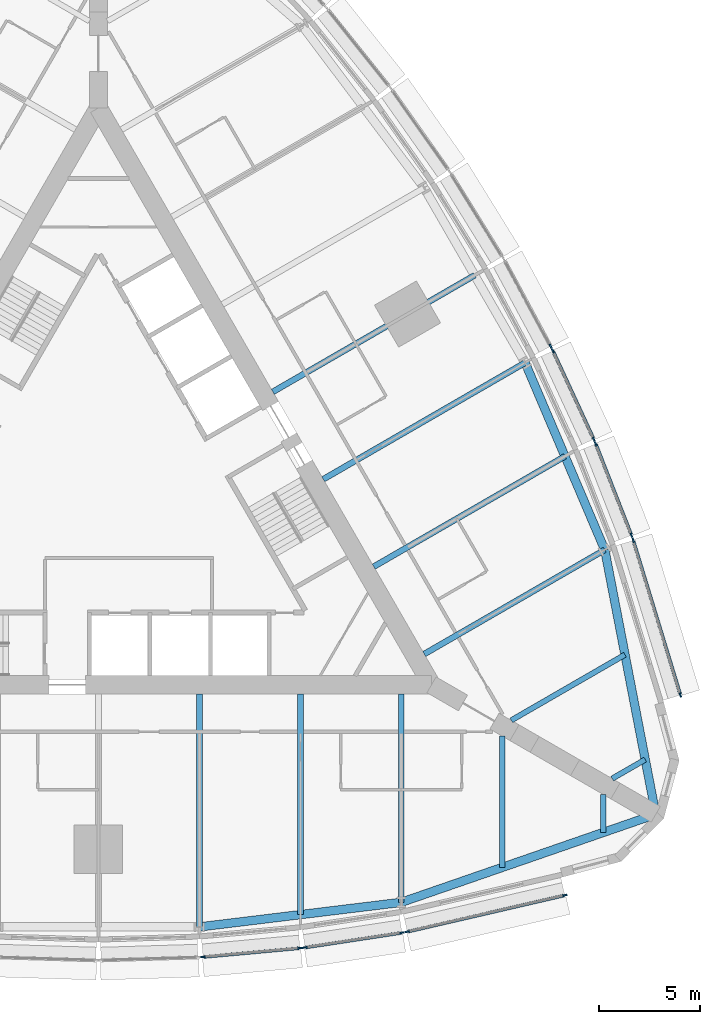
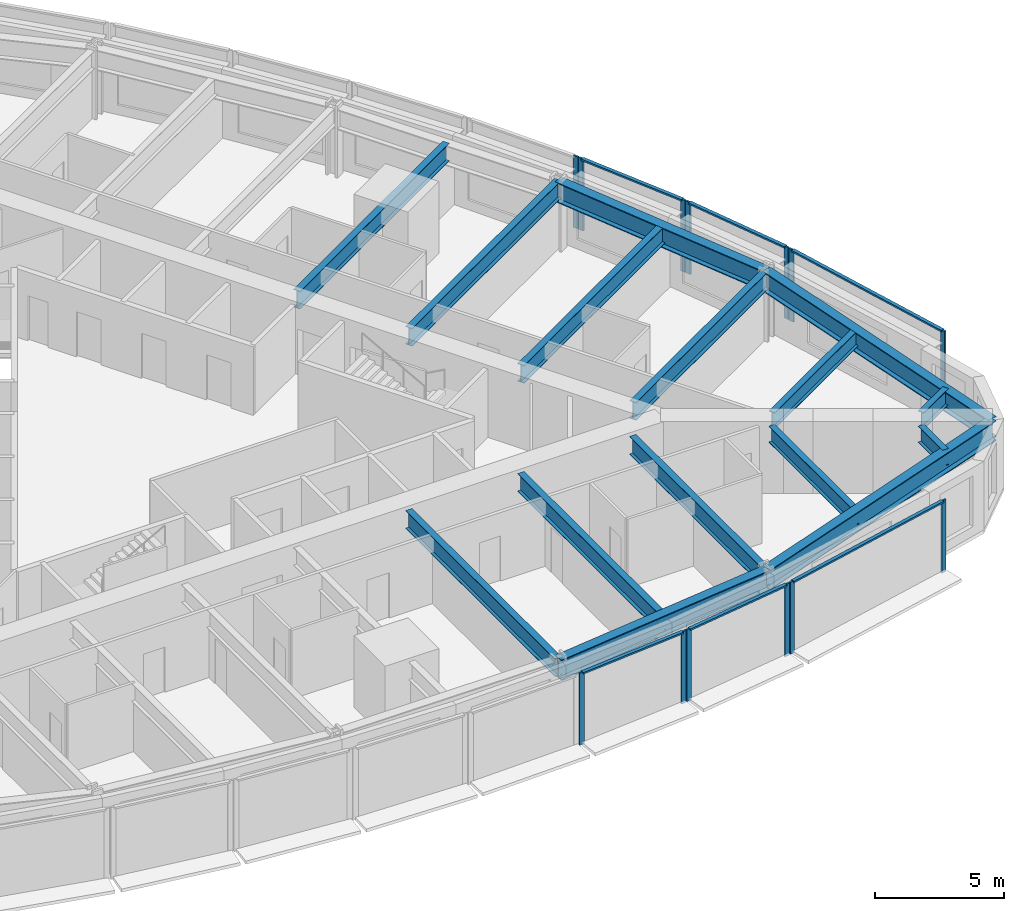
# One storey, part 3 of 14: 19 members, 15 beams, 7 elements without a shape of their own.
"""IFC4 building model written with IfcOpenShell, lengths in metres."""

from ifc_helpers import new_model, si_unit, direction, frame, origin, origin_2d, place, context, subcontext, project, spatial, rectangle, i_section, extrude, material, material_profile, profile_set, type_object, element, aggregate, save


model = new_model("IFC4")

# Units and contexts
model_context = context("Model", 3, precision=1e-05, world=origin(), true_north=direction((0.0, 1.0)))
body_context = subcontext(model_context, "Body", "Model", "MODEL_VIEW")
ifc_project = project(units=[si_unit("LENGTHUNIT", "METRE"), si_unit("AREAUNIT", "SQUARE_METRE"), si_unit("VOLUMEUNIT", "CUBIC_METRE"), si_unit("PLANEANGLEUNIT", "RADIAN"), si_unit("MASSUNIT", "GRAM", prefix="KILO")], contexts=[model_context])

# Site, building, storey
site_placement = place(None, origin())
site = spatial("IfcSite", under=ifc_project, at=site_placement, CompositionType="ELEMENT")
building_placement = place(site_placement, origin())
building = spatial("IfcBuilding", under=site, at=building_placement, Name="Trikona Tower", CompositionType="ELEMENT")
storey_placement = place(building_placement, frame((0.0, 0.0, 96.5)))
storey = spatial("IfcBuildingStorey", under=building, at=storey_placement, Name="L25", CompositionType="ELEMENT", Elevation=96.5)

# Curtain wall, members
ifc_material_1 = material(Name="Aluminium curtain wall system", Category="aluminium")
curtain_wall_type = type_object("IfcCurtainWallType", Name="Curtain wall DS1", PredefinedType="NOTDEFINED", material=ifc_material_1)
curtain_wall_1_placement = place(storey_placement, origin())
curtain_wall_1 = element("IfcCurtainWall", 1, at=curtain_wall_1_placement, inside=storey, type_object=curtain_wall_type, Name="Curtain wall DS1 L25", PredefinedType="NOTDEFINED")
ifc_material_2 = material(Name="Aluminium mullion, pale anodised", Category="aluminium")
ifc_material_profile_1 = material_profile(ifc_material_2, rectangle(XDim=0.080078125, YDim=0.219970703125, at=origin_2d()), Name="MUL-DS1")
ifc_profile_set_1 = profile_set([ifc_material_profile_1], Name="Aluminium mullion, pale anodised")
member_type_1 = type_object("IfcMemberType", Name="Mullion DS1 80x220", PredefinedType="MULLION", material=ifc_profile_set_1)
member_1_placement = place(storey_placement, frame((5.181396484375, -23.007568359375, 0.0), z_axis=(0.0, 0.0, 1.0), x_axis=(-0.090923932737, 0.995857840485, 0.0)))
member_1 = element("IfcMember", 2, at=member_1_placement, type_object=member_type_1, Name="CW-DS1 mullion 1", PredefinedType="MULLION", context=body_context, shape_type="SweptSolid", body=[
    extrude(rectangle(XDim=0.080078125, YDim=0.219970703125, at=origin_2d()), origin(), (0.0, 0.0, 1.0), 3.39990234375),
])
member_2_placement = place(storey_placement, frame((9.982177734375, -22.5693359375, 0.0), z_axis=(0.0, 0.0, 1.0), x_axis=(-0.090923932737, 0.995857840485, 0.0)))
member_2 = element("IfcMember", 3, at=member_2_placement, type_object=member_type_1, Name="CW-DS1 mullion 2", PredefinedType="MULLION", context=body_context, shape_type="SweptSolid", body=[
    extrude(rectangle(XDim=0.080078125, YDim=0.219970703125, at=origin_2d()), origin(), (0.0, 0.0, 1.0), 3.39990234375),
])

curtain_wall_2_placement = place(storey_placement, origin())
curtain_wall_2 = element("IfcCurtainWall", 4, at=curtain_wall_2_placement, inside=storey, type_object=curtain_wall_type, Name="Curtain wall DS1 L25", PredefinedType="NOTDEFINED")
member_3_placement = place(storey_placement, frame((10.234130859375, -22.53857421875, 0.0), z_axis=(0.0, 0.0, 1.0), x_axis=(-0.150437693845, 0.988619492156, 0.0)))
member_3 = element("IfcMember", 5, at=member_3_placement, type_object=member_type_1, Name="CW-DS1 mullion 1", PredefinedType="MULLION", context=body_context, shape_type="SweptSolid", body=[
    extrude(rectangle(XDim=0.080078125, YDim=0.219970703125, at=origin_2d()), origin(), (0.0, 0.0, 1.0), 3.39990234375),
])
member_4_placement = place(storey_placement, frame((15.03662109375, -21.807861328125, 0.0), z_axis=(0.0, 0.0, 1.0), x_axis=(-0.150437693845, 0.988619492156, 0.0)))
member_4 = element("IfcMember", 6, at=member_4_placement, type_object=member_type_1, Name="CW-DS1 mullion 2", PredefinedType="MULLION", context=body_context, shape_type="SweptSolid", body=[
    extrude(rectangle(XDim=0.080078125, YDim=0.219970703125, at=origin_2d()), origin(), (0.0, 0.0, 1.0), 3.39990234375),
])

curtain_wall_3_placement = place(storey_placement, origin())
curtain_wall_3 = element("IfcCurtainWall", 7, at=curtain_wall_3_placement, inside=storey, type_object=curtain_wall_type, Name="Curtain wall DS1 L25", PredefinedType="NOTDEFINED")
member_5_placement = place(storey_placement, frame((15.30029296875, -21.75732421875, 0.0), z_axis=(0.0, 0.0, 1.0), x_axis=(-0.225343288756, 0.974279427173, 0.0)))
member_5 = element("IfcMember", 8, at=member_5_placement, type_object=member_type_1, Name="CW-DS1 mullion 1", PredefinedType="MULLION", context=body_context, shape_type="SweptSolid", body=[
    extrude(rectangle(XDim=0.080078125, YDim=0.219970703125, at=origin_2d()), origin(), (0.0, 0.0, 1.0), 3.39990234375),
])
member_6_placement = place(storey_placement, frame((23.10546875, -19.951904296875, 0.0), z_axis=(0.0, 0.0, 1.0), x_axis=(-0.225343288756, 0.974279427173, 0.0)))
member_6 = element("IfcMember", 9, at=member_6_placement, type_object=member_type_1, Name="CW-DS1 mullion 2", PredefinedType="MULLION", context=body_context, shape_type="SweptSolid", body=[
    extrude(rectangle(XDim=0.080078125, YDim=0.219970703125, at=origin_2d()), origin(), (0.0, 0.0, 1.0), 3.39990234375),
])

curtain_wall_4_placement = place(storey_placement, origin())
curtain_wall_4 = element("IfcCurtainWall", 10, at=curtain_wall_4_placement, inside=storey, type_object=curtain_wall_type, Name="Curtain wall DS1 L25", PredefinedType="NOTDEFINED")
member_7_placement = place(storey_placement, frame((28.83154296875, -10.033935546875, 0.0), z_axis=(0.0, 0.0, 1.0), x_axis=(-0.956423115383, -0.291984287868, 0.0)))
member_7 = element("IfcMember", 11, at=member_7_placement, type_object=member_type_1, Name="CW-DS1 mullion 1", PredefinedType="MULLION", context=body_context, shape_type="SweptSolid", body=[
    extrude(rectangle(XDim=0.080078125, YDim=0.219970703125, at=origin_2d()), origin(), (0.0, 0.0, 1.0), 3.39990234375),
])
member_8_placement = place(storey_placement, frame((26.492431640625, -2.371826171875, 0.0), z_axis=(0.0, 0.0, 1.0), x_axis=(-0.956423115383, -0.291984287868, 0.0)))
member_8 = element("IfcMember", 12, at=member_8_placement, type_object=member_type_1, Name="CW-DS1 mullion 2", PredefinedType="MULLION", context=body_context, shape_type="SweptSolid", body=[
    extrude(rectangle(XDim=0.080078125, YDim=0.219970703125, at=origin_2d()), origin(), (0.0, 0.0, 1.0), 3.39990234375),
])

curtain_wall_5_placement = place(storey_placement, origin())
curtain_wall_5 = element("IfcCurtainWall", 13, at=curtain_wall_5_placement, inside=storey, type_object=curtain_wall_type, Name="Curtain wall DS1 L25", PredefinedType="NOTDEFINED")
member_9_placement = place(storey_placement, frame((26.404296875, -2.1181640625, 0.0), z_axis=(0.0, 0.0, 1.0), x_axis=(-0.931395989443, -0.36400756977, 0.0)))
member_9 = element("IfcMember", 14, at=member_9_placement, type_object=member_type_1, Name="CW-DS1 mullion 1", PredefinedType="MULLION", context=body_context, shape_type="SweptSolid", body=[
    extrude(rectangle(XDim=0.080078125, YDim=0.219970703125, at=origin_2d()), origin(), (0.0, 0.0, 1.0), 3.39990234375),
])
member_10_placement = place(storey_placement, frame((24.63623046875, 2.40625, 0.0), z_axis=(0.0, 0.0, 1.0), x_axis=(-0.931395989443, -0.36400756977, 0.0)))
member_10 = element("IfcMember", 15, at=member_10_placement, type_object=member_type_1, Name="CW-DS1 mullion 2", PredefinedType="MULLION", context=body_context, shape_type="SweptSolid", body=[
    extrude(rectangle(XDim=0.080078125, YDim=0.219970703125, at=origin_2d()), origin(), (0.0, 0.0, 1.0), 3.39990234375),
])

curtain_wall_6_placement = place(storey_placement, origin())
curtain_wall_6 = element("IfcCurtainWall", 16, at=curtain_wall_6_placement, inside=storey, type_object=curtain_wall_type, Name="Curtain wall DS1 L25", PredefinedType="NOTDEFINED")
member_11_placement = place(storey_placement, frame((24.53662109375, 2.6396484375, 0.0), z_axis=(0.0, 0.0, 1.0), x_axis=(-0.907898459992, -0.419190155352, 0.0)))
member_11 = element("IfcMember", 17, at=member_11_placement, type_object=member_type_1, Name="CW-DS1 mullion 1", PredefinedType="MULLION", context=body_context, shape_type="SweptSolid", body=[
    extrude(rectangle(XDim=0.080078125, YDim=0.219970703125, at=origin_2d()), origin(), (0.0, 0.0, 1.0), 3.39990234375),
])
member_12_placement = place(storey_placement, frame((22.515869140625, 7.0166015625, 0.0), z_axis=(0.0, 0.0, 1.0), x_axis=(-0.907898459992, -0.419190155352, 0.0)))
member_12 = element("IfcMember", 18, at=member_12_placement, type_object=member_type_1, Name="CW-DS1 mullion 2", PredefinedType="MULLION", context=body_context, shape_type="SweptSolid", body=[
    extrude(rectangle(XDim=0.080078125, YDim=0.219970703125, at=origin_2d()), origin(), (0.0, 0.0, 1.0), 3.39990234375),
])

# Curtain wall, member
curtain_wall_7_placement = place(storey_placement, origin())
curtain_wall_7 = element("IfcCurtainWall", 19, at=curtain_wall_7_placement, inside=storey, type_object=curtain_wall_type, Name="Curtain wall DS1 L25", PredefinedType="NOTDEFINED")
member_13_placement = place(storey_placement, frame((22.402099609375, 7.244140625, 0.0), z_axis=(0.0, 0.0, 1.0), x_axis=(-0.880843080975, -0.473408350896, 0.0)))
member_13 = element("IfcMember", 20, at=member_13_placement, type_object=member_type_1, Name="CW-DS1 mullion 1", PredefinedType="MULLION", context=body_context, shape_type="SweptSolid", body=[
    extrude(rectangle(XDim=0.080078125, YDim=0.219970703125, at=origin_2d()), origin(), (0.0, 0.0, 1.0), 3.39990234375),
])
aggregate(curtain_wall_7, [member_13])

# Beams
ifc_material_3 = material(Name="Steel ASTM A992 Grade 50", Category="steel")
ifc_material_profile_2 = material_profile(ifc_material_3, i_section(OverallWidth=0.2666015625, OverallDepth=0.76953125, WebThickness=0.015625, FlangeThickness=0.025390625, at=origin_2d()), Name="W30X132")
ifc_profile_set_2 = profile_set([ifc_material_profile_2], Name="Steel ASTM A992 Grade 50")
beam_type_1 = type_object("IfcBeamType", Name="Steel beam W30x132 (wedge)", PredefinedType="BEAM", material=ifc_profile_set_2)
beam_1_placement = place(storey_placement, frame((20.0, -12.066650390625, 2.85009765625), z_axis=(0.0, -1.0, 0.0), x_axis=(1.0, 0.0, 0.0)))
element("IfcBeam", 21, at=beam_1_placement, inside=storey, type_object=beam_type_1, Name="Floor beam L26 F1 u20", PredefinedType="BEAM", context=body_context, shape_type="SweptSolid", body=[
    extrude(i_section(OverallWidth=0.2666015625, OverallDepth=0.76953125, WebThickness=0.015625, FlangeThickness=0.025390625, at=origin_2d()), origin(), (0.0, 0.0, 1.0), 6.5068359375),
])
for number, where, z_axis, x_axis, name in (
    (22, (25.0, -14.953369140625, 2.85009765625), (0.0, -1.0, 0.0), (1.0, 0.0, 0.0), "Floor beam L26 F1 u25"),
    (23, (25.449951171875, -14.173828125, 2.85009765625), (0.866065156741, 0.499931139538, 0.0), (-0.499931139538, 0.866065156741, 0.0), "Floor beam L26 F2 u-25"),
):
    element("IfcBeam", number, at=place(storey_placement, frame(where, z_axis=z_axis, x_axis=x_axis)), inside=storey, type_object=beam_type_1, Name=name, PredefinedType="BEAM", context=body_context, shape_type="SweptSolid", body=[
        extrude(i_section(OverallWidth=0.2666015625, OverallDepth=0.76953125, WebThickness=0.015625, FlangeThickness=0.025390625, at=origin_2d()), origin(), (0.0, 0.0, 1.0), 1.890380859375),
    ])
beam_2_placement = place(storey_placement, frame((20.449951171875, -11.287109375, 2.85009765625), z_axis=(0.866022504693, 0.50000502134, 0.0), x_axis=(-0.50000502134, 0.866022504693, 0.0)))
element("IfcBeam", 24, at=beam_2_placement, inside=storey, type_object=beam_type_1, Name="Floor beam L26 F2 u-20", PredefinedType="BEAM", context=body_context, shape_type="SweptSolid", body=[
    extrude(i_section(OverallWidth=0.2666015625, OverallDepth=0.76953125, WebThickness=0.015625, FlangeThickness=0.025390625, at=origin_2d()), origin(), (0.0, 0.0, 1.0), 6.5068359375),
])
ifc_material_4 = material(Name="Steel ASTM A992 Grade 50", Category="steel")
ifc_material_profile_3 = material_profile(ifc_material_4, i_section(OverallWidth=0.2919921875, OverallDepth=0.845703125, WebThickness=0.015380859375, FlangeThickness=0.0244140625, at=origin_2d()), Name="W33X141")
ifc_profile_set_3 = profile_set([ifc_material_profile_3], Name="Steel ASTM A992 Grade 50")
beam_type_2 = type_object("IfcBeamType", Name="Steel beam W33x141 (radial typ)", PredefinedType="BEAM", material=ifc_profile_set_3)
beam_3_placement = place(storey_placement, frame((5.0, -9.976318359375, 2.81201171875), z_axis=(0.0, -1.0, 0.0), x_axis=(1.0, 0.0, 0.0)))
element("IfcBeam", 25, at=beam_3_placement, inside=storey, type_object=beam_type_2, Name="Floor beam L26 F1 u5", PredefinedType="BEAM", context=body_context, shape_type="SweptSolid", body=[
    extrude(i_section(OverallWidth=0.2919921875, OverallDepth=0.845703125, WebThickness=0.015380859375, FlangeThickness=0.0244140625, at=origin_2d()), origin(), (0.0, 0.0, 1.0), 11.544189453125),
])
beam_4_placement = place(storey_placement, frame((10.0, -9.976318359375, 2.81201171875), z_axis=(0.0, -1.0, 0.0), x_axis=(1.0, 0.0, 0.0)))
element("IfcBeam", 26, at=beam_4_placement, inside=storey, type_object=beam_type_2, Name="Floor beam L26 F1 u10", PredefinedType="BEAM", context=body_context, shape_type="SweptSolid", body=[
    extrude(i_section(OverallWidth=0.2919921875, OverallDepth=0.845703125, WebThickness=0.015380859375, FlangeThickness=0.0244140625, at=origin_2d()), origin(), (0.0, 0.0, 1.0), 10.935302734375),
])
beam_5_placement = place(storey_placement, frame((15.0, -9.976318359375, 2.81201171875), z_axis=(0.0, -1.0, 0.0), x_axis=(1.0, 0.0, 0.0)))
element("IfcBeam", 27, at=beam_5_placement, inside=storey, type_object=beam_type_2, Name="Floor beam L26 F1 u15", PredefinedType="BEAM", context=body_context, shape_type="SweptSolid", body=[
    extrude(i_section(OverallWidth=0.2919921875, OverallDepth=0.845703125, WebThickness=0.015380859375, FlangeThickness=0.0244140625, at=origin_2d()), origin(), (0.0, 0.0, 1.0), 10.32666015625),
])
beam_6_placement = place(storey_placement, frame((16.1396484375, -8.002197265625, 2.81201171875), z_axis=(0.866030471684, 0.499991222037, 0.0), x_axis=(-0.499991222037, 0.866030471684, 0.0)))
element("IfcBeam", 28, at=beam_6_placement, inside=storey, type_object=beam_type_2, Name="Floor beam L26 F2 u-15", PredefinedType="BEAM", context=body_context, shape_type="SweptSolid", body=[
    extrude(i_section(OverallWidth=0.2919921875, OverallDepth=0.845703125, WebThickness=0.015380859375, FlangeThickness=0.0244140625, at=origin_2d()), origin(), (0.0, 0.0, 1.0), 10.326904296875),
])
beam_7_placement = place(storey_placement, frame((13.6396484375, -3.672119140625, 2.81201171875), z_axis=(0.866025348605, 0.500000095573, 0.0), x_axis=(-0.500000095573, 0.866025348605, 0.0)))
element("IfcBeam", 29, at=beam_7_placement, inside=storey, type_object=beam_type_2, Name="Floor beam L26 F2 u-10", PredefinedType="BEAM", context=body_context, shape_type="SweptSolid", body=[
    extrude(i_section(OverallWidth=0.2919921875, OverallDepth=0.845703125, WebThickness=0.015380859375, FlangeThickness=0.0244140625, at=origin_2d()), origin(), (0.0, 0.0, 1.0), 10.935546875),
])
for number, where, z_axis, x_axis, name in (
    (30, (11.1396484375, 0.657958984375, 2.81201171875), (0.866020765707, 0.500008033299, 0.0), (-0.500008033299, 0.866020765707, 0.0), "Floor beam L26 F2 u-5"),
    (31, (8.6396484375, 4.988037109375, 2.81201171875), (0.866020765707, 0.500008033299, 0.0), (-0.500008033299, 0.866020765707, 0.0), "Floor beam L26 F2 u0"),
):
    element("IfcBeam", number, at=place(storey_placement, frame(where, z_axis=z_axis, x_axis=x_axis)), inside=storey, type_object=beam_type_2, Name=name, PredefinedType="BEAM", context=body_context, shape_type="SweptSolid", body=[
        extrude(i_section(OverallWidth=0.2919921875, OverallDepth=0.845703125, WebThickness=0.015380859375, FlangeThickness=0.0244140625, at=origin_2d()), origin(), (0.0, 0.0, 1.0), 11.544189453125),
    ])
ifc_material_5 = material(Name="Steel ASTM A992 Grade 50", Category="steel")
ifc_material_profile_4 = material_profile(ifc_material_5, i_section(OverallWidth=0.424072265625, OverallDepth=0.947509765625, WebThickness=0.02392578125, FlangeThickness=0.042724609375, at=origin_2d()), Name="W36X302")
ifc_profile_set_4 = profile_set([ifc_material_profile_4], Name="Steel ASTM A992 Grade 50")
beam_type_3 = type_object("IfcBeamType", Name="Steel beam W36x302 (spandrel)", PredefinedType="SPANDREL", material=ifc_profile_set_4)
beam_8_placement = place(storey_placement, frame((5.0, -21.5205078125, 2.76123046875), z_axis=(0.99266951126, 0.120860421207, 0.0), x_axis=(-0.120860421207, 0.99266951126, 0.0)))
element("IfcBeam", 32, at=beam_8_placement, inside=storey, type_object=beam_type_3, Name="Spandrel beam L26 F1-4", PredefinedType="SPANDREL", context=body_context, shape_type="SweptSolid", body=[
    extrude(i_section(OverallWidth=0.424072265625, OverallDepth=0.947509765625, WebThickness=0.02392578125, FlangeThickness=0.042724609375, at=origin_2d()), origin(), (0.0, 0.0, 1.0), 10.07373046875),
])
for number, where, z_axis, x_axis, name in (
    (33, (15.0, -20.302978515625, 2.76123046875), (0.945056965739, 0.326905692071, 0.0), (-0.326905692071, 0.945056965739, 0.0), "Spandrel beam L26 F1-5"),
    (34, (27.6103515625, -15.94091796875, 2.76123046875), (-0.189405184036, 0.981899015307, 0.0), (-0.981899015307, -0.189405184036, 0.0), "Spandrel beam L26 F2-1"),
):
    element("IfcBeam", number, at=place(storey_placement, frame(where, z_axis=z_axis, x_axis=x_axis)), inside=storey, type_object=beam_type_3, Name=name, PredefinedType="SPANDREL", context=body_context, shape_type="SweptSolid", body=[
        extrude(i_section(OverallWidth=0.424072265625, OverallDepth=0.947509765625, WebThickness=0.02392578125, FlangeThickness=0.042724609375, at=origin_2d()), origin(), (0.0, 0.0, 1.0), 13.343505859375),
    ])
beam_9_placement = place(storey_placement, frame((25.0830078125, -2.8388671875, 2.76123046875), z_axis=(-0.391683514847, 0.920100007715, 0.0), x_axis=(-0.920100007715, -0.391683514847, 0.0)))
element("IfcBeam", 35, at=beam_9_placement, inside=storey, type_object=beam_type_3, Name="Spandrel beam L26 F2-2", PredefinedType="SPANDREL", context=body_context, shape_type="SweptSolid", body=[
    extrude(i_section(OverallWidth=0.424072265625, OverallDepth=0.947509765625, WebThickness=0.02392578125, FlangeThickness=0.042724609375, at=origin_2d()), origin(), (0.0, 0.0, 1.0), 10.073974609375),
])

# Member
ifc_material_6 = material(Name="Aluminium transom, pale anodised", Category="aluminium")
ifc_material_profile_5 = material_profile(ifc_material_6, rectangle(XDim=0.159912109375, YDim=0.080078125, at=origin_2d()), Name="TRN-DS1")
ifc_profile_set_5 = profile_set([ifc_material_profile_5], Name="Aluminium transom, pale anodised")
member_type_2 = type_object("IfcMemberType", Name="Transom DS1 80x160", PredefinedType="USERDEFINED", material=ifc_profile_set_5)
member_14_placement = place(storey_placement, frame((5.22119140625, -23.00390625, 3.360107421875), z_axis=(0.995855977008, 0.090944340438, 0.0), x_axis=(-0.090944340438, 0.995855977008, 0.0)))
member_14 = element("IfcMember", 36, at=member_14_placement, type_object=member_type_2, Name="CW-DS1 transom 1.1", ObjectType="TRANSOM", PredefinedType="USERDEFINED", context=body_context, shape_type="SweptSolid", body=[
    extrude(rectangle(XDim=0.159912109375, YDim=0.080078125, at=origin_2d()), origin(), (0.0, 0.0, 1.0), 4.74072265625),
])

aggregate(curtain_wall_1, [member_1, member_2, member_14])

member_15_placement = place(storey_placement, frame((10.273681640625, -22.532470703125, 3.360107421875), z_axis=(0.988619663412, 0.150436568413, 0.0), x_axis=(-0.150436568413, 0.988619663412, 0.0)))
member_15 = element("IfcMember", 37, at=member_15_placement, type_object=member_type_2, Name="CW-DS1 transom 1.1", ObjectType="TRANSOM", PredefinedType="USERDEFINED", context=body_context, shape_type="SweptSolid", body=[
    extrude(rectangle(XDim=0.159912109375, YDim=0.080078125, at=origin_2d()), origin(), (0.0, 0.0, 1.0), 4.77783203125),
])

aggregate(curtain_wall_2, [member_3, member_4, member_15])

member_16_placement = place(storey_placement, frame((15.33935546875, -21.748291015625, 3.360107421875), z_axis=(0.974275371842, 0.225360821398, 0.0), x_axis=(-0.225360821398, 0.974275371842, 0.0)))
member_16 = element("IfcMember", 38, at=member_16_placement, type_object=member_type_2, Name="CW-DS1 transom 1.1", ObjectType="TRANSOM", PredefinedType="USERDEFINED", context=body_context, shape_type="SweptSolid", body=[
    extrude(rectangle(XDim=0.159912109375, YDim=0.080078125, at=origin_2d()), origin(), (0.0, 0.0, 1.0), 7.93115234375),
])

aggregate(curtain_wall_3, [member_5, member_6, member_16])

member_17_placement = place(storey_placement, frame((28.81982421875, -9.99560546875, 3.360107421875), z_axis=(-0.291967490203, 0.956428243343, 0.0), x_axis=(-0.956428243343, -0.291967490203, 0.0)))
member_17 = element("IfcMember", 39, at=member_17_placement, type_object=member_type_2, Name="CW-DS1 transom 1.1", ObjectType="TRANSOM", PredefinedType="USERDEFINED", context=body_context, shape_type="SweptSolid", body=[
    extrude(rectangle(XDim=0.159912109375, YDim=0.080078125, at=origin_2d()), origin(), (0.0, 0.0, 1.0), 7.93115234375),
])

aggregate(curtain_wall_4, [member_7, member_8, member_17])

member_18_placement = place(storey_placement, frame((26.389892578125, -2.080810546875, 3.360107421875), z_axis=(-0.364048647668, 0.931379934362, 0.0), x_axis=(-0.931379934362, -0.364048647668, 0.0)))
member_18 = element("IfcMember", 40, at=member_18_placement, type_object=member_type_2, Name="CW-DS1 transom 1.1", ObjectType="TRANSOM", PredefinedType="USERDEFINED", context=body_context, shape_type="SweptSolid", body=[
    extrude(rectangle(XDim=0.159912109375, YDim=0.080078125, at=origin_2d()), origin(), (0.0, 0.0, 1.0), 4.777587890625),
])

aggregate(curtain_wall_5, [member_9, member_10, member_18])

member_19_placement = place(storey_placement, frame((24.52001953125, 2.676025390625, 3.360107421875), z_axis=(-0.419188800665, 0.90789908547, 0.0), x_axis=(-0.90789908547, -0.419188800665, 0.0)))
member_19 = element("IfcMember", 41, at=member_19_placement, type_object=member_type_2, Name="CW-DS1 transom 1.1", ObjectType="TRANSOM", PredefinedType="USERDEFINED", context=body_context, shape_type="SweptSolid", body=[
    extrude(rectangle(XDim=0.159912109375, YDim=0.080078125, at=origin_2d()), origin(), (0.0, 0.0, 1.0), 4.74072265625),
])

aggregate(curtain_wall_6, [member_11, member_12, member_19])

save(model, "model.ifc")
